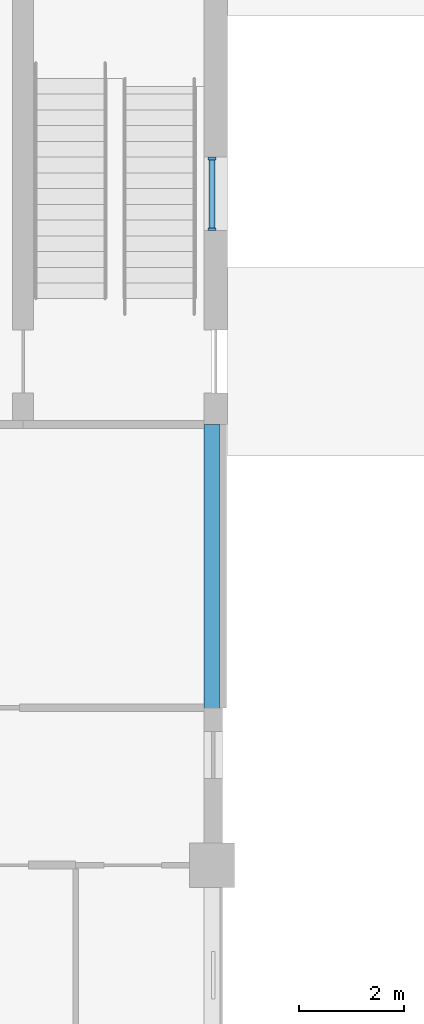
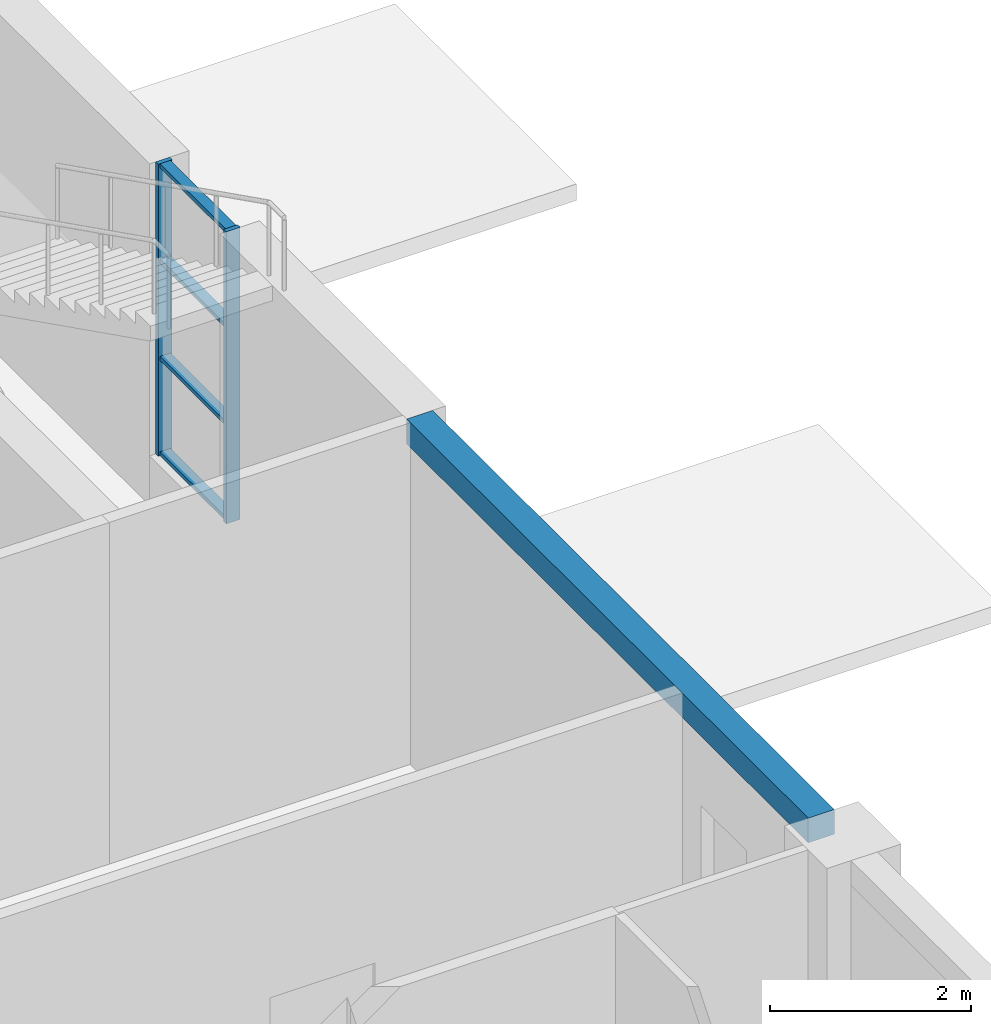
# One storey, part 63 of 138: 6 members, 1 beam, 1 element without a shape of its own.
"""IFC4 building model written with IfcOpenShell, lengths in metres."""

from ifc_helpers import new_model, si_unit, direction, frame, origin, origin_2d, place, context, subcontext, project, spatial, rectangle, extrude, material, material_profile, profile_set, type_object, element, aggregate, save


model = new_model("IFC4")

# Units and contexts
model_context = context("Model", 3, precision=1e-05, world=origin(), true_north=direction((0.0, 1.0)))
body_context = subcontext(model_context, "Body", "Model", "MODEL_VIEW")
ifc_project = project(units=[si_unit("LENGTHUNIT", "METRE"), si_unit("AREAUNIT", "SQUARE_METRE"), si_unit("VOLUMEUNIT", "CUBIC_METRE"), si_unit("PLANEANGLEUNIT", "RADIAN"), si_unit("MASSUNIT", "GRAM", prefix="KILO")], contexts=[model_context])

# Site, building, storey
site_placement = place(None, origin())
site = spatial("IfcSite", under=ifc_project, at=site_placement, CompositionType="ELEMENT")
building_placement = place(site_placement, origin())
building = spatial("IfcBuilding", under=site, at=building_placement, Name="Yavir Park General Hospital", CompositionType="ELEMENT")
storey_placement = place(building_placement, origin())
storey = spatial("IfcBuildingStorey", under=building, at=storey_placement, Name="L00", CompositionType="ELEMENT", Elevation=0.0)

# Beam
ifc_material_1 = material(Name="Concrete C35/45", Category="concrete")
ifc_material_profile_1 = material_profile(ifc_material_1, rectangle(XDim=0.300048828125, YDim=0.300048828125, at=origin_2d()), Name="RC300x300")
ifc_profile_set_1 = profile_set([ifc_material_profile_1], Name="Concrete C35/45")
beam_type = type_object("IfcBeamType", Name="RC BEAM 300x300 edge beam", PredefinedType="BEAM", material=ifc_profile_set_1)
beam_placement = place(storey_placement, frame((168.0, 8.824951171875, 3.989990234375), z_axis=(0.0, 1.0, 0.0), x_axis=(-1.0, 0.0, 0.0)))
element("IfcBeam", 1, at=beam_placement, inside=storey, type_object=beam_type, Name="B:EDGE:L00:054", PredefinedType="BEAM", context=body_context, shape_type="SweptSolid", body=[
    extrude(rectangle(XDim=0.300048828125, YDim=0.300048828125, at=origin_2d()), origin(), (0.0, 0.0, 1.0), 7.97509765625),
])

# Curtain wall, members
ifc_material_2 = material(Name="Aluminium curtain wall frame with insulated glazing", Category="aluminium")
curtain_wall_type = type_object("IfcCurtainWallType", Name="Stair light slot, ground floor, 3540 high, 1400 module", PredefinedType="NOTDEFINED", material=ifc_material_2)
curtain_wall_placement = place(storey_placement, origin())
curtain_wall = element("IfcCurtainWall", 2, at=curtain_wall_placement, inside=storey, type_object=curtain_wall_type, Name="CW19 L00-072", PredefinedType="NOTDEFINED")
ifc_material_3 = material(Name="Aluminium", Category="aluminium")
ifc_material_profile_2 = material_profile(ifc_material_3, rectangle(XDim=0.159912109375, YDim=0.050048828125, at=origin_2d()), Name="AL 50x160")
ifc_profile_set_2 = profile_set([ifc_material_profile_2], Name="Aluminium")
member_type_1 = type_object("IfcMemberType", Name="Stair light slot, ground floor, 3540 high mullion 50 x 160", PredefinedType="MULLION", material=ifc_profile_set_2)
member_1_placement = place(storey_placement, frame((168.0, 20.52490234375, 0.60009765625), z_axis=(0.0, 0.0, 1.0), x_axis=(-1.0, 0.0, 0.0)))
member_1 = element("IfcMember", 3, at=member_1_placement, type_object=member_type_1, Name="CW19 mullion 1", PredefinedType="MULLION", context=body_context, shape_type="SweptSolid", body=[
    extrude(rectangle(XDim=0.159912109375, YDim=0.050048828125, at=origin_2d()), origin(), (0.0, 0.0, 1.0), 3.539794921875),
])
member_2_placement = place(storey_placement, frame((168.0, 21.875, 0.60009765625), z_axis=(0.0, 0.0, 1.0), x_axis=(-1.0, 0.0, 0.0)))
member_2 = element("IfcMember", 4, at=member_2_placement, type_object=member_type_1, Name="CW19 mullion 2", PredefinedType="MULLION", context=body_context, shape_type="SweptSolid", body=[
    extrude(rectangle(XDim=0.159912109375, YDim=0.050048828125, at=origin_2d()), origin(), (0.0, 0.0, 1.0), 3.539794921875),
])
ifc_material_4 = material(Name="Aluminium", Category="aluminium")
ifc_material_profile_3 = material_profile(ifc_material_4, rectangle(XDim=0.1201171875, YDim=0.050048828125, at=origin_2d()), Name="AL 120x50")
ifc_profile_set_3 = profile_set([ifc_material_profile_3], Name="Aluminium")
member_type_2 = type_object("IfcMemberType", Name="Stair light slot, ground floor, 3540 high transom 50 x 120", PredefinedType="MULLION", material=ifc_profile_set_3)
member_3_placement = place(storey_placement, frame((168.0, 20.550048828125, 0.625), z_axis=(0.0, 1.0, 0.0), x_axis=(-1.0, 0.0, 0.0)))
member_3 = element("IfcMember", 5, at=member_3_placement, type_object=member_type_2, Name="CW19 transom 1.1", PredefinedType="MULLION", context=body_context, shape_type="SweptSolid", body=[
    extrude(rectangle(XDim=0.1201171875, YDim=0.050048828125, at=origin_2d()), origin(), (0.0, 0.0, 1.0), 1.300048828125),
])
member_4_placement = place(storey_placement, frame((168.0, 20.550048828125, 1.780029296875), z_axis=(0.0, 1.0, 0.0), x_axis=(-1.0, 0.0, 0.0)))
member_4 = element("IfcMember", 6, at=member_4_placement, type_object=member_type_2, Name="CW19 transom 1.2", PredefinedType="MULLION", context=body_context, shape_type="SweptSolid", body=[
    extrude(rectangle(XDim=0.1201171875, YDim=0.050048828125, at=origin_2d()), origin(), (0.0, 0.0, 1.0), 1.300048828125),
])
member_5_placement = place(storey_placement, frame((168.0, 20.550048828125, 2.9599609375), z_axis=(0.0, 1.0, 0.0), x_axis=(-1.0, 0.0, 0.0)))
member_5 = element("IfcMember", 7, at=member_5_placement, type_object=member_type_2, Name="CW19 transom 1.3", PredefinedType="MULLION", context=body_context, shape_type="SweptSolid", body=[
    extrude(rectangle(XDim=0.1201171875, YDim=0.050048828125, at=origin_2d()), origin(), (0.0, 0.0, 1.0), 1.300048828125),
])
member_6_placement = place(storey_placement, frame((168.0, 20.550048828125, 4.114990234375), z_axis=(0.0, 1.0, 0.0), x_axis=(-1.0, 0.0, 0.0)))
member_6 = element("IfcMember", 8, at=member_6_placement, type_object=member_type_2, Name="CW19 transom 1.4", PredefinedType="MULLION", context=body_context, shape_type="SweptSolid", body=[
    extrude(rectangle(XDim=0.1201171875, YDim=0.050048828125, at=origin_2d()), origin(), (0.0, 0.0, 1.0), 1.300048828125),
])
aggregate(curtain_wall, [member_1, member_2, member_3, member_4, member_5, member_6])

save(model, "model.ifc")
